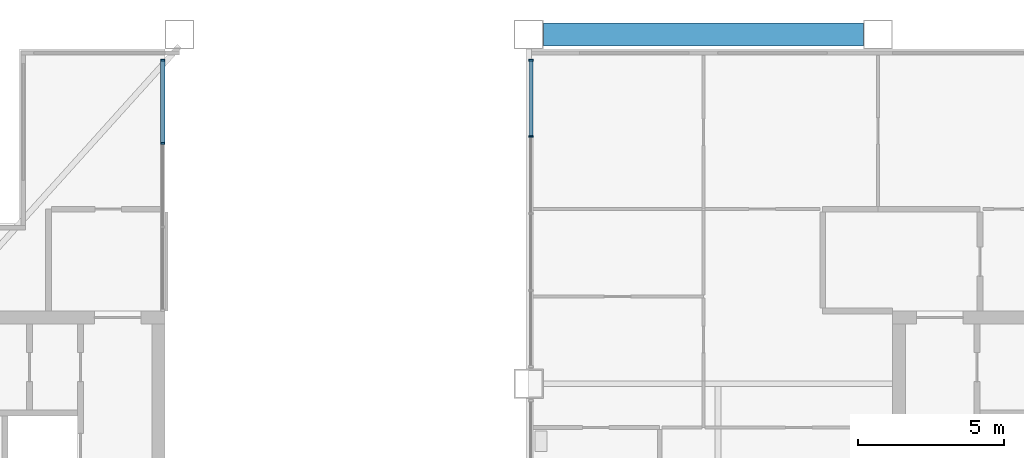
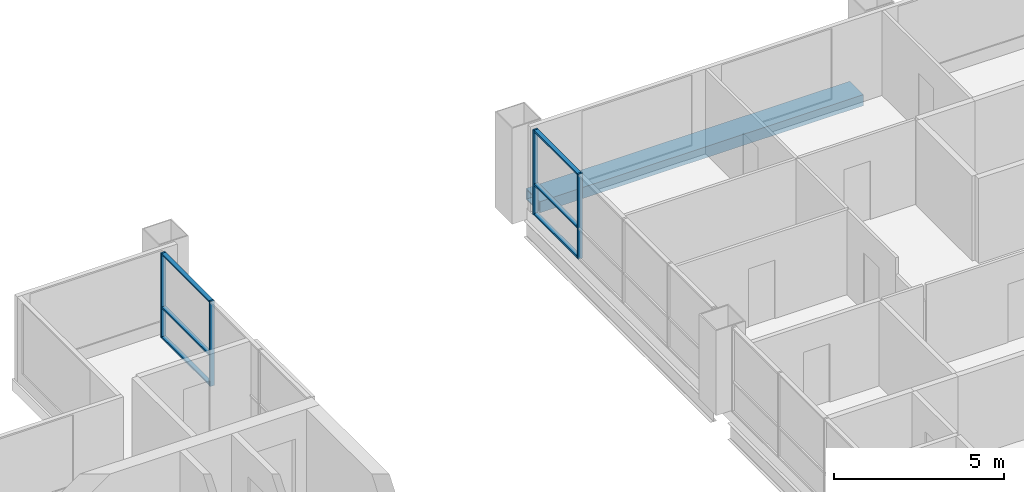
# One storey, part 5 of 12: 10 members, 1 beam, 2 elements without a shape of their own.
"""IFC4 building model written with IfcOpenShell, lengths in metres."""

from ifc_helpers import new_model, si_unit, direction, frame, origin, origin_2d, place, context, subcontext, project, spatial, rectangle, hollow_rectangle, extrude, material, material_profile, profile_set, type_object, element, aggregate, save


model = new_model("IFC4")

# Units and contexts
model_context = context("Model", 3, precision=1e-05, world=origin(), true_north=direction((0.0, 1.0)))
body_context = subcontext(model_context, "Body", "Model", "MODEL_VIEW")
ifc_project = project(units=[si_unit("LENGTHUNIT", "METRE"), si_unit("AREAUNIT", "SQUARE_METRE"), si_unit("VOLUMEUNIT", "CUBIC_METRE"), si_unit("PLANEANGLEUNIT", "RADIAN"), si_unit("MASSUNIT", "GRAM", prefix="KILO")], contexts=[model_context])

# Site, building, storey
site_placement = place(None, origin())
site = spatial("IfcSite", under=ifc_project, at=site_placement, CompositionType="ELEMENT")
building_placement = place(site_placement, origin())
building = spatial("IfcBuilding", under=site, at=building_placement, Name="Kitamizu Gate Tower and Museum", CompositionType="ELEMENT")
storey_placement = place(building_placement, frame((0.0, 0.0, 255.89990234375)))
storey = spatial("IfcBuildingStorey", under=building, at=storey_placement, Name="L69", CompositionType="ELEMENT", Elevation=255.89990234375)

# Beam
ifc_material_1 = material(Name="Steel SM490A bronze coated", Category="steel")
ifc_material_profile_1 = material_profile(ifc_material_1, hollow_rectangle(XDim=0.800048828125, YDim=0.39990234375, WallThickness=0.0400390625, at=origin_2d()), Name="BOX 800x400x40")
ifc_profile_set_1 = profile_set([ifc_material_profile_1], Name="Steel SM490A bronze coated")
beam_type = type_object("IfcBeamType", Name="Exoskeleton spandrel beam SB1 BOX 800x400x40", PredefinedType="SPANDREL", material=ifc_profile_set_1)
beam_placement = place(storey_placement, frame((36.5, 48.0, -0.199951171875), z_axis=(1.0, 0.0, 0.0), x_axis=(0.0, 1.0, 0.0)))
element("IfcBeam", 1, at=beam_placement, inside=storey, type_object=beam_type, Name="Exoskeleton spandrel beam north 36 L69", PredefinedType="SPANDREL", context=body_context, shape_type="SweptSolid", body=[
    extrude(hollow_rectangle(XDim=0.800048828125, YDim=0.39990234375, WallThickness=0.0400390625, at=origin_2d()), origin(), (0.0, 0.0, 1.0), 11.0),
])

# Curtain wall, members
ifc_material_2 = material(Name="Bronze anodised aluminium frame, tinted triple glazing", Category="aluminium")
curtain_wall_type = type_object("IfcCurtainWallType", Name="CURTAIN WALL TYPE C SKY AMENITY", PredefinedType="NOTDEFINED", material=ifc_material_2)
curtain_wall_1_placement = place(storey_placement, origin())
curtain_wall_1 = element("IfcCurtainWall", 2, at=curtain_wall_1_placement, inside=storey, type_object=curtain_wall_type, Name="Curtain wall CW-C portal W L69", PredefinedType="NOTDEFINED")
ifc_material_3 = material(Name="Bronze anodised aluminium", Category="aluminium")
ifc_material_profile_2 = material_profile(ifc_material_3, rectangle(XDim=0.06005859375, YDim=0.14990234375, at=origin_2d()), Name="AL 60X150")
ifc_profile_set_2 = profile_set([ifc_material_profile_2], Name="Bronze anodised aluminium")
member_type_1 = type_object("IfcMemberType", Name="MULLION 60 X 150 TYPE C", PredefinedType="MULLION", material=ifc_profile_set_2)
member_1_placement = place(storey_placement, frame((23.425048828125, 44.2666015625, 0.0), z_axis=(0.0, 0.0, 1.0), x_axis=(0.0, 1.0, 0.0)))
member_1 = element("IfcMember", 3, at=member_1_placement, type_object=member_type_1, Name="CW-C mullion 3", PredefinedType="MULLION", context=body_context, shape_type="SweptSolid", body=[
    extrude(rectangle(XDim=0.06005859375, YDim=0.14990234375, at=origin_2d()), origin(), (0.0, 0.0, 1.0), 3.050048828125),
])
member_2_placement = place(storey_placement, frame((23.425048828125, 47.1201171875, 0.0), z_axis=(0.0, 0.0, 1.0), x_axis=(0.0, 1.0, 0.0)))
member_2 = element("IfcMember", 4, at=member_2_placement, type_object=member_type_1, Name="CW-C mullion 4", PredefinedType="MULLION", context=body_context, shape_type="SweptSolid", body=[
    extrude(rectangle(XDim=0.06005859375, YDim=0.14990234375, at=origin_2d()), origin(), (0.0, 0.0, 1.0), 3.050048828125),
])

curtain_wall_2_placement = place(storey_placement, origin())
curtain_wall_2 = element("IfcCurtainWall", 5, at=curtain_wall_2_placement, inside=storey, type_object=curtain_wall_type, Name="Curtain wall CW-C portal E L69", PredefinedType="NOTDEFINED")
member_3_placement = place(storey_placement, frame((36.074951171875, 44.501220703125, 0.0), z_axis=(0.0, 0.0, 1.0), x_axis=(0.0, 1.0, 0.0)))
member_3 = element("IfcMember", 6, at=member_3_placement, type_object=member_type_1, Name="CW-C mullion 4", PredefinedType="MULLION", context=body_context, shape_type="SweptSolid", body=[
    extrude(rectangle(XDim=0.06005859375, YDim=0.14990234375, at=origin_2d()), origin(), (0.0, 0.0, 1.0), 3.050048828125),
])
member_4_placement = place(storey_placement, frame((36.074951171875, 47.1201171875, 0.0), z_axis=(0.0, 0.0, 1.0), x_axis=(0.0, 1.0, 0.0)))
member_4 = element("IfcMember", 7, at=member_4_placement, type_object=member_type_1, Name="CW-C mullion 5", PredefinedType="MULLION", context=body_context, shape_type="SweptSolid", body=[
    extrude(rectangle(XDim=0.06005859375, YDim=0.14990234375, at=origin_2d()), origin(), (0.0, 0.0, 1.0), 3.050048828125),
])

# Member
ifc_material_4 = material(Name="Bronze anodised aluminium", Category="aluminium")
ifc_material_profile_3 = material_profile(ifc_material_4, rectangle(XDim=0.139892578125, YDim=0.06005859375, at=origin_2d()), Name="AL 60X140")
ifc_profile_set_3 = profile_set([ifc_material_profile_3], Name="Bronze anodised aluminium")
member_type_2 = type_object("IfcMemberType", Name="TRANSOM 60 X 140 TYPE C", PredefinedType="USERDEFINED", material=ifc_profile_set_3)
member_5_placement = place(storey_placement, frame((23.425048828125, 44.296630859375, 0.030029296875), z_axis=(0.0, 1.0, 0.0), x_axis=(-1.0, 0.0, 0.0)))
member_5 = element("IfcMember", 8, at=member_5_placement, type_object=member_type_2, Name="CW-C transom 3.1", ObjectType="TRANSOM", PredefinedType="USERDEFINED", context=body_context, shape_type="SweptSolid", body=[
    extrude(rectangle(XDim=0.139892578125, YDim=0.06005859375, at=origin_2d()), origin(), (0.0, 0.0, 1.0), 2.79345703125),
])

member_6_placement = place(storey_placement, frame((23.425048828125, 44.296630859375, 1.10009765625), z_axis=(0.0, 1.0, 0.0), x_axis=(-1.0, 0.0, 0.0)))
member_6 = element("IfcMember", 9, at=member_6_placement, type_object=member_type_2, Name="CW-C transom 3.2", ObjectType="TRANSOM", PredefinedType="USERDEFINED", context=body_context, shape_type="SweptSolid", body=[
    extrude(rectangle(XDim=0.139892578125, YDim=0.06005859375, at=origin_2d()), origin(), (0.0, 0.0, 1.0), 2.79345703125),
])

member_7_placement = place(storey_placement, frame((23.425048828125, 44.296630859375, 3.02001953125), z_axis=(0.0, 1.0, 0.0), x_axis=(-1.0, 0.0, 0.0)))
member_7 = element("IfcMember", 10, at=member_7_placement, type_object=member_type_2, Name="CW-C transom 3.3", ObjectType="TRANSOM", PredefinedType="USERDEFINED", context=body_context, shape_type="SweptSolid", body=[
    extrude(rectangle(XDim=0.139892578125, YDim=0.06005859375, at=origin_2d()), origin(), (0.0, 0.0, 1.0), 2.79345703125),
])

aggregate(curtain_wall_1, [member_1, member_2, member_5, member_6, member_7])

member_8_placement = place(storey_placement, frame((36.074951171875, 44.53125, 0.030029296875), z_axis=(0.0, 1.0, 0.0), x_axis=(-1.0, 0.0, 0.0)))
member_8 = element("IfcMember", 11, at=member_8_placement, type_object=member_type_2, Name="CW-C transom 4.1", ObjectType="TRANSOM", PredefinedType="USERDEFINED", context=body_context, shape_type="SweptSolid", body=[
    extrude(rectangle(XDim=0.139892578125, YDim=0.06005859375, at=origin_2d()), origin(), (0.0, 0.0, 1.0), 2.558837890625),
])

member_9_placement = place(storey_placement, frame((36.074951171875, 44.53125, 1.10009765625), z_axis=(0.0, 1.0, 0.0), x_axis=(-1.0, 0.0, 0.0)))
member_9 = element("IfcMember", 12, at=member_9_placement, type_object=member_type_2, Name="CW-C transom 4.2", ObjectType="TRANSOM", PredefinedType="USERDEFINED", context=body_context, shape_type="SweptSolid", body=[
    extrude(rectangle(XDim=0.139892578125, YDim=0.06005859375, at=origin_2d()), origin(), (0.0, 0.0, 1.0), 2.558837890625),
])

member_10_placement = place(storey_placement, frame((36.074951171875, 44.53125, 3.02001953125), z_axis=(0.0, 1.0, 0.0), x_axis=(-1.0, 0.0, 0.0)))
member_10 = element("IfcMember", 13, at=member_10_placement, type_object=member_type_2, Name="CW-C transom 4.3", ObjectType="TRANSOM", PredefinedType="USERDEFINED", context=body_context, shape_type="SweptSolid", body=[
    extrude(rectangle(XDim=0.139892578125, YDim=0.06005859375, at=origin_2d()), origin(), (0.0, 0.0, 1.0), 2.558837890625),
])

aggregate(curtain_wall_2, [member_3, member_4, member_8, member_9, member_10])

save(model, "model.ifc")
